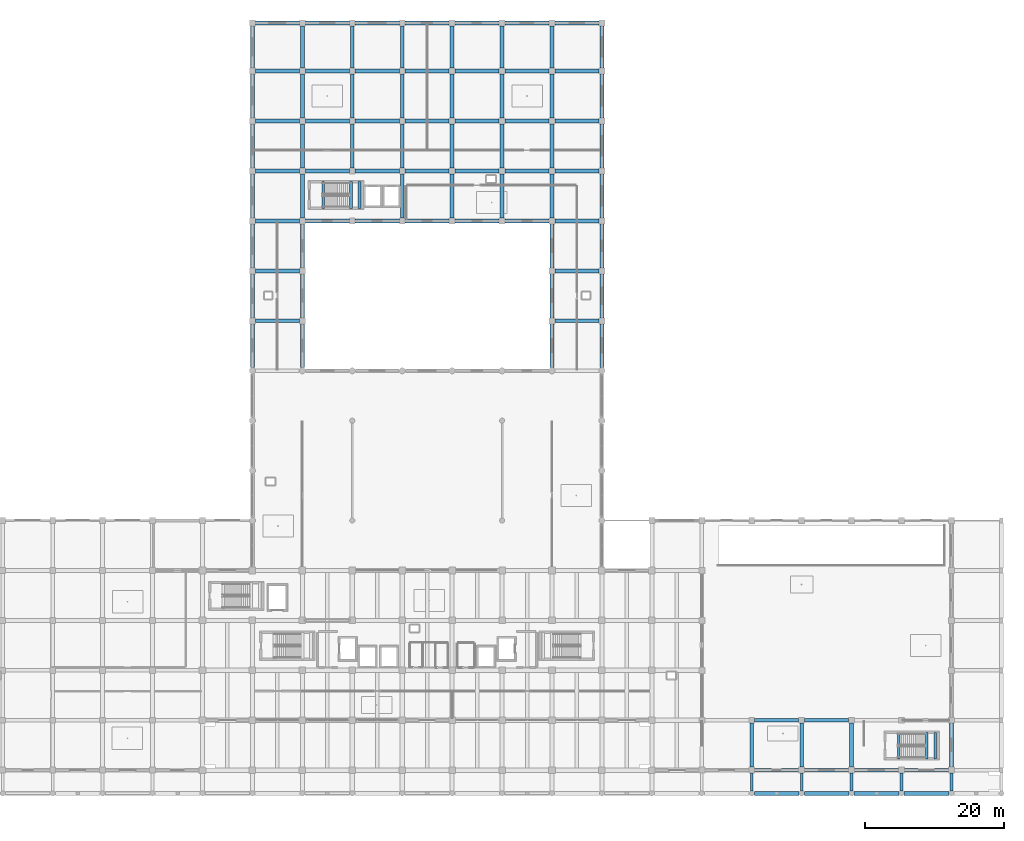
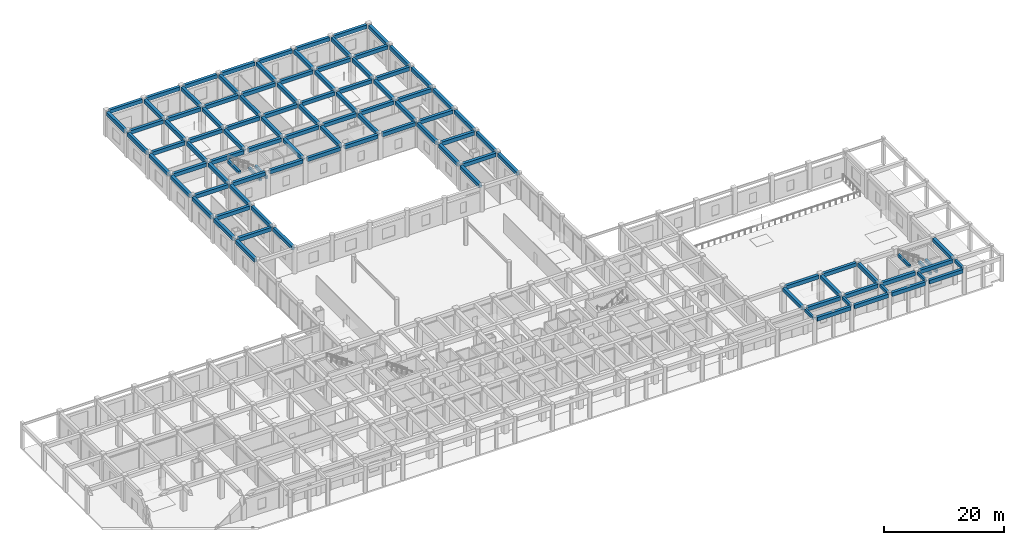
# One storey, part 22 of 56: 107 beams.
"""IFC4 building model written with IfcOpenShell, lengths in metres."""

from ifc_helpers import new_model, si_unit, direction, frame, origin, origin_2d, place, context, subcontext, project, spatial, rectangle, extrude, material, material_profile, profile_set, type_object, element, save


model = new_model("IFC4")

# Units and contexts
model_context = context("Model", 3, precision=1e-05, world=origin(), true_north=direction((0.0, 1.0)))
body_context = subcontext(model_context, "Body", "Model", "MODEL_VIEW")
ifc_project = project(units=[si_unit("LENGTHUNIT", "METRE"), si_unit("AREAUNIT", "SQUARE_METRE"), si_unit("VOLUMEUNIT", "CUBIC_METRE"), si_unit("PLANEANGLEUNIT", "RADIAN"), si_unit("MASSUNIT", "GRAM", prefix="KILO")], contexts=[model_context])

# Site, building, storey
site_placement = place(None, origin())
site = spatial("IfcSite", under=ifc_project, at=site_placement, CompositionType="ELEMENT")
building_placement = place(site_placement, origin())
building = spatial("IfcBuilding", under=site, at=building_placement, Name="Kazehaya Institute of Natural Sciences", CompositionType="ELEMENT")
storey_placement = place(building_placement, origin())
storey = spatial("IfcBuildingStorey", under=building, at=storey_placement, Name="L00", CompositionType="ELEMENT", Elevation=0.0)

# Beams
ifc_material = material(Name="Concrete Fc36", Category="concrete")
ifc_material_profile_1 = material_profile(ifc_material, rectangle(XDim=0.39990234375, YDim=0.60009765625, at=origin_2d()), Name="RC-400x600")
ifc_profile_set_1 = profile_set([ifc_material_profile_1], Name="Concrete Fc36")
beam_type_1 = type_object("IfcBeamType", Name="BM-B-400x600", PredefinedType="BEAM", material=ifc_profile_set_1)
for number, where, z_axis, x_axis, name in (
    (1, (133.800048828125, 3.824951171875, 4.830078125), (0.0, 1.0, 0.0), (-1.0, 0.0, 0.0), "L00 primary Y girder BMY-L00-1338-34"),
    (2, (141.0, 3.824951171875, 4.830078125), (0.0, 1.0, 0.0), (-1.0, 0.0, 0.0), "L00 primary Y girder BMY-L00-1410-34"),
    (3, (148.199951171875, 3.824951171875, 4.830078125), (0.0, 1.0, 0.0), (-1.0, 0.0, 0.0), "L00 primary Y girder BMY-L00-1482-34"),
    (4, (155.39990234375, 3.824951171875, 4.830078125), (0.0, 1.0, 0.0), (-1.0, 0.0, 0.0), "L00 primary Y girder BMY-L00-1554-34"),
    (5, (162.60009765625, 3.824951171875, 4.830078125), (0.0, 1.0, 0.0), (-1.0, 0.0, 0.0), "L00 primary Y girder BMY-L00-1626-34"),
):
    element("IfcBeam", number, at=place(storey_placement, frame(where, z_axis=z_axis, x_axis=x_axis)), inside=storey, type_object=beam_type_1, Name=name, PredefinedType="BEAM", context=body_context, shape_type="SweptSolid", body=[
        extrude(rectangle(XDim=0.39990234375, YDim=0.60009765625, at=origin_2d()), origin(), (0.0, 0.0, 1.0), 2.550048828125),
    ])
for number, where, z_axis, x_axis, name in (
    (6, (72.0, 87.820068359375, 5.10009765625), (0.0, 1.0, 0.0), (-1.0, 0.0, 0.0), "L01 ST-3 stair header trimmer beam"),
    (7, (76.030029296875, 87.820068359375, 2.239990234375), (0.0, 1.0, 0.0), (-1.0, 0.0, 0.0), "L00 ST-3 landing beam 1"),
    (8, (77.25, 87.820068359375, 2.239990234375), (0.0, 1.0, 0.0), (-1.0, 0.0, 0.0), "L00 ST-3 landing beam 2"),
):
    element("IfcBeam", number, at=place(storey_placement, frame(where, z_axis=z_axis, x_axis=x_axis)), inside=storey, type_object=beam_type_1, Name=name, PredefinedType="BEAM", context=body_context, shape_type="SweptSolid", body=[
        extrude(rectangle(XDim=0.39990234375, YDim=0.60009765625, at=origin_2d()), origin(), (0.0, 0.0, 1.0), 3.83984375),
    ])
for number, where, z_axis, x_axis, name in (
    (9, (155.0, 8.419921875, 5.10009765625), (0.0, 1.0, 0.0), (-1.0, 0.0, 0.0), "L01 ST-5 stair header trimmer beam"),
    (10, (159.030029296875, 8.419921875, 2.239990234375), (0.0, 1.0, 0.0), (-1.0, 0.0, 0.0), "L00 ST-5 landing beam 1"),
    (11, (160.25, 8.419921875, 2.239990234375), (0.0, 1.0, 0.0), (-1.0, 0.0, 0.0), "L00 ST-5 landing beam 2"),
):
    element("IfcBeam", number, at=place(storey_placement, frame(where, z_axis=z_axis, x_axis=x_axis)), inside=storey, type_object=beam_type_1, Name=name, PredefinedType="BEAM", context=body_context, shape_type="SweptSolid", body=[
        extrude(rectangle(XDim=0.39990234375, YDim=0.60009765625, at=origin_2d()), origin(), (0.0, 0.0, 1.0), 3.840087890625),
    ])
ifc_material_profile_2 = material_profile(ifc_material, rectangle(XDim=0.550048828125, YDim=0.75, at=origin_2d()), Name="RC-550x750")
ifc_profile_set_2 = profile_set([ifc_material_profile_2], Name="Concrete Fc36")
beam_type_2 = type_object("IfcBeamType", Name="BM-G-550x750", PredefinedType="BEAM", material=ifc_profile_set_2)
for number, where, z_axis, x_axis, name in (
    (12, (134.175048828125, 3.449951171875, 4.7548828125), (1.0, 0.0, 0.0), (0.0, 1.0, 0.0), "L00 primary X girder BMX-L00-1338-34"),
    (13, (141.375, 3.449951171875, 4.7548828125), (1.0, 0.0, 0.0), (0.0, 1.0, 0.0), "L00 primary X girder BMX-L00-1410-34"),
    (14, (148.574951171875, 3.449951171875, 4.7548828125), (1.0, 0.0, 0.0), (0.0, 1.0, 0.0), "L00 primary X girder BMX-L00-1482-34"),
):
    element("IfcBeam", number, at=place(storey_placement, frame(where, z_axis=z_axis, x_axis=x_axis)), inside=storey, type_object=beam_type_2, Name=name, PredefinedType="BEAM", context=body_context, shape_type="SweptSolid", body=[
        extrude(rectangle(XDim=0.550048828125, YDim=0.75, at=origin_2d()), origin(), (0.0, 0.0, 1.0), 6.449951171875),
    ])
beam_1_placement = place(storey_placement, frame((155.77490234375, 3.449951171875, 4.7548828125), z_axis=(1.0, 0.0, 0.0), x_axis=(0.0, 1.0, 0.0)))
element("IfcBeam", 15, at=beam_1_placement, inside=storey, type_object=beam_type_2, Name="L00 primary X girder BMX-L00-1554-34", PredefinedType="BEAM", context=body_context, shape_type="SweptSolid", body=[
    extrude(rectangle(XDim=0.550048828125, YDim=0.75, at=origin_2d()), origin(), (0.0, 0.0, 1.0), 6.4501953125),
])
for number, where, z_axis, x_axis, name in (
    (16, (134.22509765625, 6.800048828125, 4.7548828125), (1.0, 0.0, 0.0), (0.0, 1.0, 0.0), "L00 primary X girder BMX-L00-1338-68"),
    (17, (141.425048828125, 6.800048828125, 4.7548828125), (1.0, 0.0, 0.0), (0.0, 1.0, 0.0), "L00 primary X girder BMX-L00-1410-68"),
):
    element("IfcBeam", number, at=place(storey_placement, frame(where, z_axis=z_axis, x_axis=x_axis)), inside=storey, type_object=beam_type_2, Name=name, PredefinedType="BEAM", context=body_context, shape_type="SweptSolid", body=[
        extrude(rectangle(XDim=0.550048828125, YDim=0.75, at=origin_2d()), origin(), (0.0, 0.0, 1.0), 6.349853515625),
    ])
for number, where, z_axis, x_axis, name in (
    (18, (148.625, 6.800048828125, 4.7548828125), (1.0, 0.0, 0.0), (0.0, 1.0, 0.0), "L00 primary X girder BMX-L00-1482-68"),
    (19, (155.824951171875, 6.800048828125, 4.7548828125), (1.0, 0.0, 0.0), (0.0, 1.0, 0.0), "L00 primary X girder BMX-L00-1554-68"),
):
    element("IfcBeam", number, at=place(storey_placement, frame(where, z_axis=z_axis, x_axis=x_axis)), inside=storey, type_object=beam_type_2, Name=name, PredefinedType="BEAM", context=body_context, shape_type="SweptSolid", body=[
        extrude(rectangle(XDim=0.550048828125, YDim=0.75, at=origin_2d()), origin(), (0.0, 0.0, 1.0), 6.35009765625),
    ])
for number, where, z_axis, x_axis, name in (
    (20, (134.22509765625, 14.0, 4.7548828125), (1.0, 0.0, 0.0), (0.0, 1.0, 0.0), "L00 primary X girder BMX-L00-1338-140"),
    (21, (141.425048828125, 14.0, 4.7548828125), (1.0, 0.0, 0.0), (0.0, 1.0, 0.0), "L00 primary X girder BMX-L00-1410-140"),
    (22, (62.22509765625, 71.60009765625, 4.7548828125), (1.0, 0.0, 0.0), (0.0, 1.0, 0.0), "L00 primary X girder BMX-L00-618-716"),
    (23, (105.425048828125, 71.60009765625, 4.7548828125), (1.0, 0.0, 0.0), (0.0, 1.0, 0.0), "L00 primary X girder BMX-L00-1050-716"),
    (24, (62.22509765625, 78.800048828125, 4.7548828125), (1.0, 0.0, 0.0), (0.0, 1.0, 0.0), "L00 primary X girder BMX-L00-618-788"),
    (25, (105.425048828125, 78.800048828125, 4.7548828125), (1.0, 0.0, 0.0), (0.0, 1.0, 0.0), "L00 primary X girder BMX-L00-1050-788"),
    (26, (62.22509765625, 86.0, 4.7548828125), (1.0, 0.0, 0.0), (0.0, 1.0, 0.0), "L00 primary X girder BMX-L00-618-860"),
    (27, (69.425048828125, 86.0, 4.7548828125), (1.0, 0.0, 0.0), (0.0, 1.0, 0.0), "L00 primary X girder BMX-L00-690-860"),
):
    element("IfcBeam", number, at=place(storey_placement, frame(where, z_axis=z_axis, x_axis=x_axis)), inside=storey, type_object=beam_type_2, Name=name, PredefinedType="BEAM", context=body_context, shape_type="SweptSolid", body=[
        extrude(rectangle(XDim=0.550048828125, YDim=0.75, at=origin_2d()), origin(), (0.0, 0.0, 1.0), 6.349853515625),
    ])
for number, where, z_axis, x_axis, name in (
    (28, (76.625, 86.0, 4.7548828125), (1.0, 0.0, 0.0), (0.0, 1.0, 0.0), "L00 primary X girder BMX-L00-762-860"),
    (29, (83.824951171875, 86.0, 4.7548828125), (1.0, 0.0, 0.0), (0.0, 1.0, 0.0), "L00 primary X girder BMX-L00-834-860"),
    (30, (91.02490234375, 86.0, 4.7548828125), (1.0, 0.0, 0.0), (0.0, 1.0, 0.0), "L00 primary X girder BMX-L00-906-860"),
):
    element("IfcBeam", number, at=place(storey_placement, frame(where, z_axis=z_axis, x_axis=x_axis)), inside=storey, type_object=beam_type_2, Name=name, PredefinedType="BEAM", context=body_context, shape_type="SweptSolid", body=[
        extrude(rectangle(XDim=0.550048828125, YDim=0.75, at=origin_2d()), origin(), (0.0, 0.0, 1.0), 6.35009765625),
    ])
for number, where, z_axis, x_axis, name in (
    (31, (98.22509765625, 86.0, 4.7548828125), (1.0, 0.0, 0.0), (0.0, 1.0, 0.0), "L00 primary X girder BMX-L00-978-860"),
    (32, (105.425048828125, 86.0, 4.7548828125), (1.0, 0.0, 0.0), (0.0, 1.0, 0.0), "L00 primary X girder BMX-L00-1050-860"),
    (33, (62.22509765625, 93.199951171875, 4.7548828125), (1.0, 0.0, 0.0), (0.0, 1.0, 0.0), "L00 primary X girder BMX-L00-618-932"),
    (34, (69.425048828125, 93.199951171875, 4.7548828125), (1.0, 0.0, 0.0), (0.0, 1.0, 0.0), "L00 primary X girder BMX-L00-690-932"),
):
    element("IfcBeam", number, at=place(storey_placement, frame(where, z_axis=z_axis, x_axis=x_axis)), inside=storey, type_object=beam_type_2, Name=name, PredefinedType="BEAM", context=body_context, shape_type="SweptSolid", body=[
        extrude(rectangle(XDim=0.550048828125, YDim=0.75, at=origin_2d()), origin(), (0.0, 0.0, 1.0), 6.349853515625),
    ])
for number, where, z_axis, x_axis, name in (
    (35, (76.625, 93.199951171875, 4.7548828125), (1.0, 0.0, 0.0), (0.0, 1.0, 0.0), "L00 primary X girder BMX-L00-762-932"),
    (36, (83.824951171875, 93.199951171875, 4.7548828125), (1.0, 0.0, 0.0), (0.0, 1.0, 0.0), "L00 primary X girder BMX-L00-834-932"),
    (37, (91.02490234375, 93.199951171875, 4.7548828125), (1.0, 0.0, 0.0), (0.0, 1.0, 0.0), "L00 primary X girder BMX-L00-906-932"),
):
    element("IfcBeam", number, at=place(storey_placement, frame(where, z_axis=z_axis, x_axis=x_axis)), inside=storey, type_object=beam_type_2, Name=name, PredefinedType="BEAM", context=body_context, shape_type="SweptSolid", body=[
        extrude(rectangle(XDim=0.550048828125, YDim=0.75, at=origin_2d()), origin(), (0.0, 0.0, 1.0), 6.35009765625),
    ])
for number, where, z_axis, x_axis, name in (
    (38, (98.22509765625, 93.199951171875, 4.7548828125), (1.0, 0.0, 0.0), (0.0, 1.0, 0.0), "L00 primary X girder BMX-L00-978-932"),
    (39, (105.425048828125, 93.199951171875, 4.7548828125), (1.0, 0.0, 0.0), (0.0, 1.0, 0.0), "L00 primary X girder BMX-L00-1050-932"),
    (40, (62.22509765625, 100.39990234375, 4.7548828125), (1.0, 0.0, 0.0), (0.0, 1.0, 0.0), "L00 primary X girder BMX-L00-618-1004"),
    (41, (69.425048828125, 100.39990234375, 4.7548828125), (1.0, 0.0, 0.0), (0.0, 1.0, 0.0), "L00 primary X girder BMX-L00-690-1004"),
):
    element("IfcBeam", number, at=place(storey_placement, frame(where, z_axis=z_axis, x_axis=x_axis)), inside=storey, type_object=beam_type_2, Name=name, PredefinedType="BEAM", context=body_context, shape_type="SweptSolid", body=[
        extrude(rectangle(XDim=0.550048828125, YDim=0.75, at=origin_2d()), origin(), (0.0, 0.0, 1.0), 6.349853515625),
    ])
for number, where, z_axis, x_axis, name in (
    (42, (76.625, 100.39990234375, 4.7548828125), (1.0, 0.0, 0.0), (0.0, 1.0, 0.0), "L00 primary X girder BMX-L00-762-1004"),
    (43, (83.824951171875, 100.39990234375, 4.7548828125), (1.0, 0.0, 0.0), (0.0, 1.0, 0.0), "L00 primary X girder BMX-L00-834-1004"),
    (44, (91.02490234375, 100.39990234375, 4.7548828125), (1.0, 0.0, 0.0), (0.0, 1.0, 0.0), "L00 primary X girder BMX-L00-906-1004"),
):
    element("IfcBeam", number, at=place(storey_placement, frame(where, z_axis=z_axis, x_axis=x_axis)), inside=storey, type_object=beam_type_2, Name=name, PredefinedType="BEAM", context=body_context, shape_type="SweptSolid", body=[
        extrude(rectangle(XDim=0.550048828125, YDim=0.75, at=origin_2d()), origin(), (0.0, 0.0, 1.0), 6.35009765625),
    ])
for number, where, z_axis, x_axis, name in (
    (45, (98.22509765625, 100.39990234375, 4.7548828125), (1.0, 0.0, 0.0), (0.0, 1.0, 0.0), "L00 primary X girder BMX-L00-978-1004"),
    (46, (105.425048828125, 100.39990234375, 4.7548828125), (1.0, 0.0, 0.0), (0.0, 1.0, 0.0), "L00 primary X girder BMX-L00-1050-1004"),
    (47, (62.22509765625, 107.60009765625, 4.7548828125), (1.0, 0.0, 0.0), (0.0, 1.0, 0.0), "L00 primary X girder BMX-L00-618-1076"),
    (48, (69.425048828125, 107.60009765625, 4.7548828125), (1.0, 0.0, 0.0), (0.0, 1.0, 0.0), "L00 primary X girder BMX-L00-690-1076"),
):
    element("IfcBeam", number, at=place(storey_placement, frame(where, z_axis=z_axis, x_axis=x_axis)), inside=storey, type_object=beam_type_2, Name=name, PredefinedType="BEAM", context=body_context, shape_type="SweptSolid", body=[
        extrude(rectangle(XDim=0.550048828125, YDim=0.75, at=origin_2d()), origin(), (0.0, 0.0, 1.0), 6.349853515625),
    ])
for number, where, z_axis, x_axis, name in (
    (49, (76.625, 107.60009765625, 4.7548828125), (1.0, 0.0, 0.0), (0.0, 1.0, 0.0), "L00 primary X girder BMX-L00-762-1076"),
    (50, (83.824951171875, 107.60009765625, 4.7548828125), (1.0, 0.0, 0.0), (0.0, 1.0, 0.0), "L00 primary X girder BMX-L00-834-1076"),
    (51, (91.02490234375, 107.60009765625, 4.7548828125), (1.0, 0.0, 0.0), (0.0, 1.0, 0.0), "L00 primary X girder BMX-L00-906-1076"),
):
    element("IfcBeam", number, at=place(storey_placement, frame(where, z_axis=z_axis, x_axis=x_axis)), inside=storey, type_object=beam_type_2, Name=name, PredefinedType="BEAM", context=body_context, shape_type="SweptSolid", body=[
        extrude(rectangle(XDim=0.550048828125, YDim=0.75, at=origin_2d()), origin(), (0.0, 0.0, 1.0), 6.35009765625),
    ])
for number, where, z_axis, x_axis, name in (
    (52, (98.22509765625, 107.60009765625, 4.7548828125), (1.0, 0.0, 0.0), (0.0, 1.0, 0.0), "L00 primary X girder BMX-L00-978-1076"),
    (53, (105.425048828125, 107.60009765625, 4.7548828125), (1.0, 0.0, 0.0), (0.0, 1.0, 0.0), "L00 primary X girder BMX-L00-1050-1076"),
    (54, (62.22509765625, 114.550048828125, 4.7548828125), (1.0, 0.0, 0.0), (0.0, 1.0, 0.0), "L00 primary X girder BMX-L00-618-1146"),
    (55, (69.425048828125, 114.550048828125, 4.7548828125), (1.0, 0.0, 0.0), (0.0, 1.0, 0.0), "L00 primary X girder BMX-L00-690-1146"),
):
    element("IfcBeam", number, at=place(storey_placement, frame(where, z_axis=z_axis, x_axis=x_axis)), inside=storey, type_object=beam_type_2, Name=name, PredefinedType="BEAM", context=body_context, shape_type="SweptSolid", body=[
        extrude(rectangle(XDim=0.550048828125, YDim=0.75, at=origin_2d()), origin(), (0.0, 0.0, 1.0), 6.349853515625),
    ])
for number, where, z_axis, x_axis, name in (
    (56, (76.625, 114.550048828125, 4.7548828125), (1.0, 0.0, 0.0), (0.0, 1.0, 0.0), "L00 primary X girder BMX-L00-762-1146"),
    (57, (83.824951171875, 114.550048828125, 4.7548828125), (1.0, 0.0, 0.0), (0.0, 1.0, 0.0), "L00 primary X girder BMX-L00-834-1146"),
    (58, (91.02490234375, 114.550048828125, 4.7548828125), (1.0, 0.0, 0.0), (0.0, 1.0, 0.0), "L00 primary X girder BMX-L00-906-1146"),
):
    element("IfcBeam", number, at=place(storey_placement, frame(where, z_axis=z_axis, x_axis=x_axis)), inside=storey, type_object=beam_type_2, Name=name, PredefinedType="BEAM", context=body_context, shape_type="SweptSolid", body=[
        extrude(rectangle(XDim=0.550048828125, YDim=0.75, at=origin_2d()), origin(), (0.0, 0.0, 1.0), 6.35009765625),
    ])
for number, where, z_axis, x_axis, name in (
    (59, (98.22509765625, 114.550048828125, 4.7548828125), (1.0, 0.0, 0.0), (0.0, 1.0, 0.0), "L00 primary X girder BMX-L00-978-1146"),
    (60, (105.425048828125, 114.550048828125, 4.7548828125), (1.0, 0.0, 0.0), (0.0, 1.0, 0.0), "L00 primary X girder BMX-L00-1050-1146"),
):
    element("IfcBeam", number, at=place(storey_placement, frame(where, z_axis=z_axis, x_axis=x_axis)), inside=storey, type_object=beam_type_2, Name=name, PredefinedType="BEAM", context=body_context, shape_type="SweptSolid", body=[
        extrude(rectangle(XDim=0.550048828125, YDim=0.75, at=origin_2d()), origin(), (0.0, 0.0, 1.0), 6.349853515625),
    ])
beam_2_placement = place(storey_placement, frame((61.800048828125, 64.85009765625, 4.7548828125), z_axis=(0.0, 1.0, 0.0), x_axis=(-1.0, 0.0, 0.0)))
element("IfcBeam", 61, at=beam_2_placement, inside=storey, type_object=beam_type_2, Name="L00 primary Y girder BMY-L00-618-644", PredefinedType="BEAM", context=body_context, shape_type="SweptSolid", body=[
    extrude(rectangle(XDim=0.550048828125, YDim=0.75, at=origin_2d()), origin(), (0.0, 0.0, 1.0), 6.324951171875),
])
beam_3_placement = place(storey_placement, frame((61.800048828125, 72.02490234375, 4.7548828125), z_axis=(0.0, 1.0, 0.0), x_axis=(-1.0, 0.0, 0.0)))
element("IfcBeam", 62, at=beam_3_placement, inside=storey, type_object=beam_type_2, Name="L00 primary Y girder BMY-L00-618-716", PredefinedType="BEAM", context=body_context, shape_type="SweptSolid", body=[
    extrude(rectangle(XDim=0.550048828125, YDim=0.75, at=origin_2d()), origin(), (0.0, 0.0, 1.0), 6.35009765625),
])
for number, where, z_axis, x_axis, name in (
    (63, (61.800048828125, 79.22509765625, 4.7548828125), (0.0, 1.0, 0.0), (-1.0, 0.0, 0.0), "L00 primary Y girder BMY-L00-618-788"),
    (64, (61.800048828125, 86.425048828125, 4.7548828125), (0.0, 1.0, 0.0), (-1.0, 0.0, 0.0), "L00 primary Y girder BMY-L00-618-860"),
):
    element("IfcBeam", number, at=place(storey_placement, frame(where, z_axis=z_axis, x_axis=x_axis)), inside=storey, type_object=beam_type_2, Name=name, PredefinedType="BEAM", context=body_context, shape_type="SweptSolid", body=[
        extrude(rectangle(XDim=0.550048828125, YDim=0.75, at=origin_2d()), origin(), (0.0, 0.0, 1.0), 6.349853515625),
    ])
for number, where, z_axis, x_axis, name in (
    (65, (61.800048828125, 93.625, 4.7548828125), (0.0, 1.0, 0.0), (-1.0, 0.0, 0.0), "L00 primary Y girder BMY-L00-618-932"),
    (66, (61.800048828125, 100.824951171875, 4.7548828125), (0.0, 1.0, 0.0), (-1.0, 0.0, 0.0), "L00 primary Y girder BMY-L00-618-1004"),
):
    element("IfcBeam", number, at=place(storey_placement, frame(where, z_axis=z_axis, x_axis=x_axis)), inside=storey, type_object=beam_type_2, Name=name, PredefinedType="BEAM", context=body_context, shape_type="SweptSolid", body=[
        extrude(rectangle(XDim=0.550048828125, YDim=0.75, at=origin_2d()), origin(), (0.0, 0.0, 1.0), 6.35009765625),
    ])
beam_4_placement = place(storey_placement, frame((61.800048828125, 108.02490234375, 4.7548828125), z_axis=(0.0, 1.0, 0.0), x_axis=(-1.0, 0.0, 0.0)))
element("IfcBeam", 67, at=beam_4_placement, inside=storey, type_object=beam_type_2, Name="L00 primary Y girder BMY-L00-618-1076", PredefinedType="BEAM", context=body_context, shape_type="SweptSolid", body=[
    extrude(rectangle(XDim=0.550048828125, YDim=0.75, at=origin_2d()), origin(), (0.0, 0.0, 1.0), 6.10009765625),
])
beam_5_placement = place(storey_placement, frame((69.0, 64.85009765625, 4.7548828125), z_axis=(0.0, 1.0, 0.0), x_axis=(-1.0, 0.0, 0.0)))
element("IfcBeam", 68, at=beam_5_placement, inside=storey, type_object=beam_type_2, Name="L00 primary Y girder BMY-L00-690-644", PredefinedType="BEAM", context=body_context, shape_type="SweptSolid", body=[
    extrude(rectangle(XDim=0.550048828125, YDim=0.75, at=origin_2d()), origin(), (0.0, 0.0, 1.0), 6.324951171875),
])
beam_6_placement = place(storey_placement, frame((69.0, 72.02490234375, 4.7548828125), z_axis=(0.0, 1.0, 0.0), x_axis=(-1.0, 0.0, 0.0)))
element("IfcBeam", 69, at=beam_6_placement, inside=storey, type_object=beam_type_2, Name="L00 primary Y girder BMY-L00-690-716", PredefinedType="BEAM", context=body_context, shape_type="SweptSolid", body=[
    extrude(rectangle(XDim=0.550048828125, YDim=0.75, at=origin_2d()), origin(), (0.0, 0.0, 1.0), 6.35009765625),
])
for number, where, z_axis, x_axis, name in (
    (70, (69.0, 79.22509765625, 4.7548828125), (0.0, 1.0, 0.0), (-1.0, 0.0, 0.0), "L00 primary Y girder BMY-L00-690-788"),
    (71, (69.0, 86.425048828125, 4.7548828125), (0.0, 1.0, 0.0), (-1.0, 0.0, 0.0), "L00 primary Y girder BMY-L00-690-860"),
):
    element("IfcBeam", number, at=place(storey_placement, frame(where, z_axis=z_axis, x_axis=x_axis)), inside=storey, type_object=beam_type_2, Name=name, PredefinedType="BEAM", context=body_context, shape_type="SweptSolid", body=[
        extrude(rectangle(XDim=0.550048828125, YDim=0.75, at=origin_2d()), origin(), (0.0, 0.0, 1.0), 6.349853515625),
    ])
for number, where, z_axis, x_axis, name in (
    (72, (69.0, 93.625, 4.7548828125), (0.0, 1.0, 0.0), (-1.0, 0.0, 0.0), "L00 primary Y girder BMY-L00-690-932"),
    (73, (69.0, 100.824951171875, 4.7548828125), (0.0, 1.0, 0.0), (-1.0, 0.0, 0.0), "L00 primary Y girder BMY-L00-690-1004"),
):
    element("IfcBeam", number, at=place(storey_placement, frame(where, z_axis=z_axis, x_axis=x_axis)), inside=storey, type_object=beam_type_2, Name=name, PredefinedType="BEAM", context=body_context, shape_type="SweptSolid", body=[
        extrude(rectangle(XDim=0.550048828125, YDim=0.75, at=origin_2d()), origin(), (0.0, 0.0, 1.0), 6.35009765625),
    ])
beam_7_placement = place(storey_placement, frame((69.0, 108.02490234375, 4.7548828125), z_axis=(0.0, 1.0, 0.0), x_axis=(-1.0, 0.0, 0.0)))
element("IfcBeam", 74, at=beam_7_placement, inside=storey, type_object=beam_type_2, Name="L00 primary Y girder BMY-L00-690-1076", PredefinedType="BEAM", context=body_context, shape_type="SweptSolid", body=[
    extrude(rectangle(XDim=0.550048828125, YDim=0.75, at=origin_2d()), origin(), (0.0, 0.0, 1.0), 6.10009765625),
])
for number, where, z_axis, x_axis, name in (
    (75, (76.199951171875, 93.625, 4.7548828125), (0.0, 1.0, 0.0), (-1.0, 0.0, 0.0), "L00 primary Y girder BMY-L00-762-932"),
    (76, (76.199951171875, 100.824951171875, 4.7548828125), (0.0, 1.0, 0.0), (-1.0, 0.0, 0.0), "L00 primary Y girder BMY-L00-762-1004"),
):
    element("IfcBeam", number, at=place(storey_placement, frame(where, z_axis=z_axis, x_axis=x_axis)), inside=storey, type_object=beam_type_2, Name=name, PredefinedType="BEAM", context=body_context, shape_type="SweptSolid", body=[
        extrude(rectangle(XDim=0.550048828125, YDim=0.75, at=origin_2d()), origin(), (0.0, 0.0, 1.0), 6.35009765625),
    ])
beam_8_placement = place(storey_placement, frame((76.199951171875, 108.02490234375, 4.7548828125), z_axis=(0.0, 1.0, 0.0), x_axis=(-1.0, 0.0, 0.0)))
element("IfcBeam", 77, at=beam_8_placement, inside=storey, type_object=beam_type_2, Name="L00 primary Y girder BMY-L00-762-1076", PredefinedType="BEAM", context=body_context, shape_type="SweptSolid", body=[
    extrude(rectangle(XDim=0.550048828125, YDim=0.75, at=origin_2d()), origin(), (0.0, 0.0, 1.0), 6.10009765625),
])
beam_9_placement = place(storey_placement, frame((83.39990234375, 86.425048828125, 4.7548828125), z_axis=(0.0, 1.0, 0.0), x_axis=(-1.0, 0.0, 0.0)))
element("IfcBeam", 78, at=beam_9_placement, inside=storey, type_object=beam_type_2, Name="L00 primary Y girder BMY-L00-834-860", PredefinedType="BEAM", context=body_context, shape_type="SweptSolid", body=[
    extrude(rectangle(XDim=0.550048828125, YDim=0.75, at=origin_2d()), origin(), (0.0, 0.0, 1.0), 6.349853515625),
])
for number, where, z_axis, x_axis, name in (
    (79, (83.39990234375, 93.625, 4.7548828125), (0.0, 1.0, 0.0), (-1.0, 0.0, 0.0), "L00 primary Y girder BMY-L00-834-932"),
    (80, (83.39990234375, 100.824951171875, 4.7548828125), (0.0, 1.0, 0.0), (-1.0, 0.0, 0.0), "L00 primary Y girder BMY-L00-834-1004"),
):
    element("IfcBeam", number, at=place(storey_placement, frame(where, z_axis=z_axis, x_axis=x_axis)), inside=storey, type_object=beam_type_2, Name=name, PredefinedType="BEAM", context=body_context, shape_type="SweptSolid", body=[
        extrude(rectangle(XDim=0.550048828125, YDim=0.75, at=origin_2d()), origin(), (0.0, 0.0, 1.0), 6.35009765625),
    ])
beam_10_placement = place(storey_placement, frame((83.39990234375, 108.02490234375, 4.7548828125), z_axis=(0.0, 1.0, 0.0), x_axis=(-1.0, 0.0, 0.0)))
element("IfcBeam", 81, at=beam_10_placement, inside=storey, type_object=beam_type_2, Name="L00 primary Y girder BMY-L00-834-1076", PredefinedType="BEAM", context=body_context, shape_type="SweptSolid", body=[
    extrude(rectangle(XDim=0.550048828125, YDim=0.75, at=origin_2d()), origin(), (0.0, 0.0, 1.0), 6.10009765625),
])
beam_11_placement = place(storey_placement, frame((90.60009765625, 86.425048828125, 4.7548828125), z_axis=(0.0, 1.0, 0.0), x_axis=(-1.0, 0.0, 0.0)))
element("IfcBeam", 82, at=beam_11_placement, inside=storey, type_object=beam_type_2, Name="L00 primary Y girder BMY-L00-906-860", PredefinedType="BEAM", context=body_context, shape_type="SweptSolid", body=[
    extrude(rectangle(XDim=0.550048828125, YDim=0.75, at=origin_2d()), origin(), (0.0, 0.0, 1.0), 6.349853515625),
])
for number, where, z_axis, x_axis, name in (
    (83, (90.60009765625, 93.625, 4.7548828125), (0.0, 1.0, 0.0), (-1.0, 0.0, 0.0), "L00 primary Y girder BMY-L00-906-932"),
    (84, (90.60009765625, 100.824951171875, 4.7548828125), (0.0, 1.0, 0.0), (-1.0, 0.0, 0.0), "L00 primary Y girder BMY-L00-906-1004"),
):
    element("IfcBeam", number, at=place(storey_placement, frame(where, z_axis=z_axis, x_axis=x_axis)), inside=storey, type_object=beam_type_2, Name=name, PredefinedType="BEAM", context=body_context, shape_type="SweptSolid", body=[
        extrude(rectangle(XDim=0.550048828125, YDim=0.75, at=origin_2d()), origin(), (0.0, 0.0, 1.0), 6.35009765625),
    ])
beam_12_placement = place(storey_placement, frame((90.60009765625, 108.02490234375, 4.7548828125), z_axis=(0.0, 1.0, 0.0), x_axis=(-1.0, 0.0, 0.0)))
element("IfcBeam", 85, at=beam_12_placement, inside=storey, type_object=beam_type_2, Name="L00 primary Y girder BMY-L00-906-1076", PredefinedType="BEAM", context=body_context, shape_type="SweptSolid", body=[
    extrude(rectangle(XDim=0.550048828125, YDim=0.75, at=origin_2d()), origin(), (0.0, 0.0, 1.0), 6.10009765625),
])
beam_13_placement = place(storey_placement, frame((97.800048828125, 86.425048828125, 4.7548828125), z_axis=(0.0, 1.0, 0.0), x_axis=(-1.0, 0.0, 0.0)))
element("IfcBeam", 86, at=beam_13_placement, inside=storey, type_object=beam_type_2, Name="L00 primary Y girder BMY-L00-978-860", PredefinedType="BEAM", context=body_context, shape_type="SweptSolid", body=[
    extrude(rectangle(XDim=0.550048828125, YDim=0.75, at=origin_2d()), origin(), (0.0, 0.0, 1.0), 6.349853515625),
])
for number, where, z_axis, x_axis, name in (
    (87, (97.800048828125, 93.625, 4.7548828125), (0.0, 1.0, 0.0), (-1.0, 0.0, 0.0), "L00 primary Y girder BMY-L00-978-932"),
    (88, (97.800048828125, 100.824951171875, 4.7548828125), (0.0, 1.0, 0.0), (-1.0, 0.0, 0.0), "L00 primary Y girder BMY-L00-978-1004"),
):
    element("IfcBeam", number, at=place(storey_placement, frame(where, z_axis=z_axis, x_axis=x_axis)), inside=storey, type_object=beam_type_2, Name=name, PredefinedType="BEAM", context=body_context, shape_type="SweptSolid", body=[
        extrude(rectangle(XDim=0.550048828125, YDim=0.75, at=origin_2d()), origin(), (0.0, 0.0, 1.0), 6.35009765625),
    ])
beam_14_placement = place(storey_placement, frame((97.800048828125, 108.02490234375, 4.7548828125), z_axis=(0.0, 1.0, 0.0), x_axis=(-1.0, 0.0, 0.0)))
element("IfcBeam", 89, at=beam_14_placement, inside=storey, type_object=beam_type_2, Name="L00 primary Y girder BMY-L00-978-1076", PredefinedType="BEAM", context=body_context, shape_type="SweptSolid", body=[
    extrude(rectangle(XDim=0.550048828125, YDim=0.75, at=origin_2d()), origin(), (0.0, 0.0, 1.0), 6.10009765625),
])
beam_15_placement = place(storey_placement, frame((105.0, 64.85009765625, 4.7548828125), z_axis=(0.0, 1.0, 0.0), x_axis=(-1.0, 0.0, 0.0)))
element("IfcBeam", 90, at=beam_15_placement, inside=storey, type_object=beam_type_2, Name="L00 primary Y girder BMY-L00-1050-644", PredefinedType="BEAM", context=body_context, shape_type="SweptSolid", body=[
    extrude(rectangle(XDim=0.550048828125, YDim=0.75, at=origin_2d()), origin(), (0.0, 0.0, 1.0), 6.324951171875),
])
beam_16_placement = place(storey_placement, frame((105.0, 72.02490234375, 4.7548828125), z_axis=(0.0, 1.0, 0.0), x_axis=(-1.0, 0.0, 0.0)))
element("IfcBeam", 91, at=beam_16_placement, inside=storey, type_object=beam_type_2, Name="L00 primary Y girder BMY-L00-1050-716", PredefinedType="BEAM", context=body_context, shape_type="SweptSolid", body=[
    extrude(rectangle(XDim=0.550048828125, YDim=0.75, at=origin_2d()), origin(), (0.0, 0.0, 1.0), 6.35009765625),
])
for number, where, z_axis, x_axis, name in (
    (92, (105.0, 79.22509765625, 4.7548828125), (0.0, 1.0, 0.0), (-1.0, 0.0, 0.0), "L00 primary Y girder BMY-L00-1050-788"),
    (93, (105.0, 86.425048828125, 4.7548828125), (0.0, 1.0, 0.0), (-1.0, 0.0, 0.0), "L00 primary Y girder BMY-L00-1050-860"),
):
    element("IfcBeam", number, at=place(storey_placement, frame(where, z_axis=z_axis, x_axis=x_axis)), inside=storey, type_object=beam_type_2, Name=name, PredefinedType="BEAM", context=body_context, shape_type="SweptSolid", body=[
        extrude(rectangle(XDim=0.550048828125, YDim=0.75, at=origin_2d()), origin(), (0.0, 0.0, 1.0), 6.349853515625),
    ])
for number, where, z_axis, x_axis, name in (
    (94, (105.0, 93.625, 4.7548828125), (0.0, 1.0, 0.0), (-1.0, 0.0, 0.0), "L00 primary Y girder BMY-L00-1050-932"),
    (95, (105.0, 100.824951171875, 4.7548828125), (0.0, 1.0, 0.0), (-1.0, 0.0, 0.0), "L00 primary Y girder BMY-L00-1050-1004"),
):
    element("IfcBeam", number, at=place(storey_placement, frame(where, z_axis=z_axis, x_axis=x_axis)), inside=storey, type_object=beam_type_2, Name=name, PredefinedType="BEAM", context=body_context, shape_type="SweptSolid", body=[
        extrude(rectangle(XDim=0.550048828125, YDim=0.75, at=origin_2d()), origin(), (0.0, 0.0, 1.0), 6.35009765625),
    ])
beam_17_placement = place(storey_placement, frame((105.0, 108.02490234375, 4.7548828125), z_axis=(0.0, 1.0, 0.0), x_axis=(-1.0, 0.0, 0.0)))
element("IfcBeam", 96, at=beam_17_placement, inside=storey, type_object=beam_type_2, Name="L00 primary Y girder BMY-L00-1050-1076", PredefinedType="BEAM", context=body_context, shape_type="SweptSolid", body=[
    extrude(rectangle(XDim=0.550048828125, YDim=0.75, at=origin_2d()), origin(), (0.0, 0.0, 1.0), 6.10009765625),
])
beam_18_placement = place(storey_placement, frame((112.199951171875, 64.85009765625, 4.7548828125), z_axis=(0.0, 1.0, 0.0), x_axis=(-1.0, 0.0, 0.0)))
element("IfcBeam", 97, at=beam_18_placement, inside=storey, type_object=beam_type_2, Name="L00 primary Y girder BMY-L00-1122-644", PredefinedType="BEAM", context=body_context, shape_type="SweptSolid", body=[
    extrude(rectangle(XDim=0.550048828125, YDim=0.75, at=origin_2d()), origin(), (0.0, 0.0, 1.0), 6.324951171875),
])
beam_19_placement = place(storey_placement, frame((112.199951171875, 72.02490234375, 4.7548828125), z_axis=(0.0, 1.0, 0.0), x_axis=(-1.0, 0.0, 0.0)))
element("IfcBeam", 98, at=beam_19_placement, inside=storey, type_object=beam_type_2, Name="L00 primary Y girder BMY-L00-1122-716", PredefinedType="BEAM", context=body_context, shape_type="SweptSolid", body=[
    extrude(rectangle(XDim=0.550048828125, YDim=0.75, at=origin_2d()), origin(), (0.0, 0.0, 1.0), 6.35009765625),
])
for number, where, z_axis, x_axis, name in (
    (99, (112.199951171875, 79.22509765625, 4.7548828125), (0.0, 1.0, 0.0), (-1.0, 0.0, 0.0), "L00 primary Y girder BMY-L00-1122-788"),
    (100, (112.199951171875, 86.425048828125, 4.7548828125), (0.0, 1.0, 0.0), (-1.0, 0.0, 0.0), "L00 primary Y girder BMY-L00-1122-860"),
):
    element("IfcBeam", number, at=place(storey_placement, frame(where, z_axis=z_axis, x_axis=x_axis)), inside=storey, type_object=beam_type_2, Name=name, PredefinedType="BEAM", context=body_context, shape_type="SweptSolid", body=[
        extrude(rectangle(XDim=0.550048828125, YDim=0.75, at=origin_2d()), origin(), (0.0, 0.0, 1.0), 6.349853515625),
    ])
for number, where, z_axis, x_axis, name in (
    (101, (112.199951171875, 93.625, 4.7548828125), (0.0, 1.0, 0.0), (-1.0, 0.0, 0.0), "L00 primary Y girder BMY-L00-1122-932"),
    (102, (112.199951171875, 100.824951171875, 4.7548828125), (0.0, 1.0, 0.0), (-1.0, 0.0, 0.0), "L00 primary Y girder BMY-L00-1122-1004"),
):
    element("IfcBeam", number, at=place(storey_placement, frame(where, z_axis=z_axis, x_axis=x_axis)), inside=storey, type_object=beam_type_2, Name=name, PredefinedType="BEAM", context=body_context, shape_type="SweptSolid", body=[
        extrude(rectangle(XDim=0.550048828125, YDim=0.75, at=origin_2d()), origin(), (0.0, 0.0, 1.0), 6.35009765625),
    ])
beam_20_placement = place(storey_placement, frame((112.199951171875, 108.02490234375, 4.7548828125), z_axis=(0.0, 1.0, 0.0), x_axis=(-1.0, 0.0, 0.0)))
element("IfcBeam", 103, at=beam_20_placement, inside=storey, type_object=beam_type_2, Name="L00 primary Y girder BMY-L00-1122-1076", PredefinedType="BEAM", context=body_context, shape_type="SweptSolid", body=[
    extrude(rectangle(XDim=0.550048828125, YDim=0.75, at=origin_2d()), origin(), (0.0, 0.0, 1.0), 6.10009765625),
])
for number, where, z_axis, x_axis, name in (
    (104, (133.800048828125, 7.22509765625, 4.7548828125), (0.0, 1.0, 0.0), (-1.0, 0.0, 0.0), "L00 primary Y girder BMY-L00-1338-68"),
    (105, (141.0, 7.22509765625, 4.7548828125), (0.0, 1.0, 0.0), (-1.0, 0.0, 0.0), "L00 primary Y girder BMY-L00-1410-68"),
    (106, (148.199951171875, 7.22509765625, 4.7548828125), (0.0, 1.0, 0.0), (-1.0, 0.0, 0.0), "L00 primary Y girder BMY-L00-1482-68"),
    (107, (162.60009765625, 7.22509765625, 4.7548828125), (0.0, 1.0, 0.0), (-1.0, 0.0, 0.0), "L00 primary Y girder BMY-L00-1626-68"),
):
    element("IfcBeam", number, at=place(storey_placement, frame(where, z_axis=z_axis, x_axis=x_axis)), inside=storey, type_object=beam_type_2, Name=name, PredefinedType="BEAM", context=body_context, shape_type="SweptSolid", body=[
        extrude(rectangle(XDim=0.550048828125, YDim=0.75, at=origin_2d()), origin(), (0.0, 0.0, 1.0), 6.349853515625),
    ])

save(model, "model.ifc")
